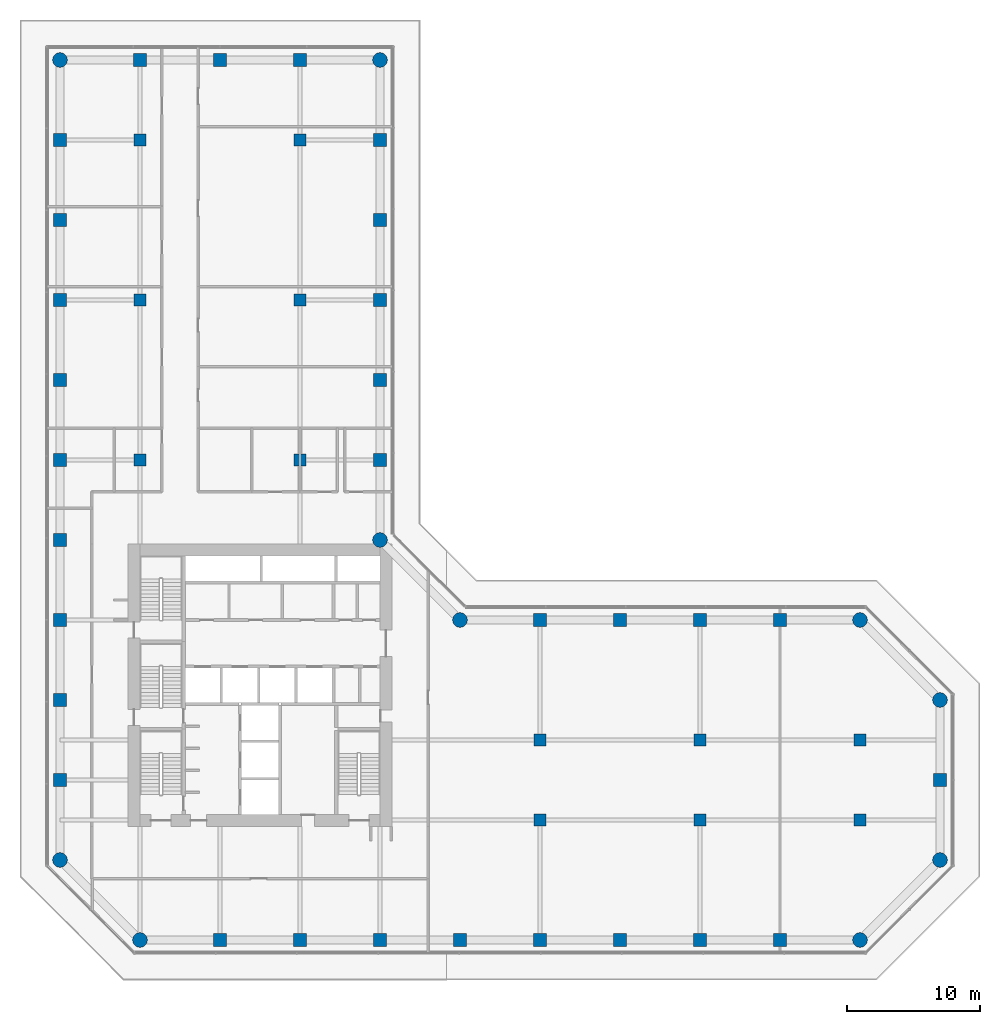
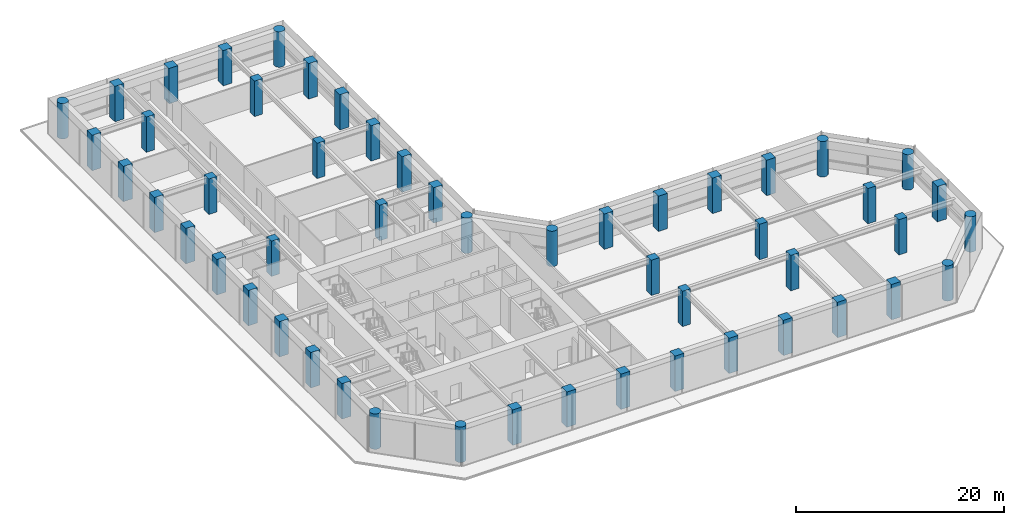
# One storey, part 1 of 24: 52 columns.
"""IFC4 building model written with IfcOpenShell, lengths in metres."""

import ifcopenshell
import ifcopenshell.guid

model = None  # the IFC model being written
_history = None  # IfcOwnerHistory: only IFC2X3 demands one
_inside = {}  # id of a spatial element -> (the spatial element, [elements in it])
_under = {}  # id of a project, library or spatial element -> (it, [spatial elements below it])
_declared = {}  # id of a project -> (the project, [libraries it declares])
_typed = {}  # id of a type object -> (the type object, [elements of that type])
_made_of = {}  # id of a material, layer set ... -> (it, [elements and type objects made of it])


def new_model(schema):
    """Start an empty IFC model of exactly this schema.

    Asked for "IFC4X3", IfcOpenShell would pick the latest addendum, in which some entities
    have other attributes; the version numbers below select the first issue.
    IFC2X3 requires an IfcOwnerHistory on every rooted entity: one is made here for all.
    """
    global model, _history
    if schema == "IFC4X3":
        model = ifcopenshell.file(schema_version=(4, 3, 0, 0))
    else:
        model = ifcopenshell.file(schema=schema)
    _inside.clear()
    _under.clear()
    _declared.clear()
    _typed.clear()
    _made_of.clear()
    _history = None
    if model.schema == "IFC2X3":
        org = make("IfcOrganization", Name="unknown")
        user = make(
            "IfcPersonAndOrganization",
            ThePerson=make("IfcPerson", FamilyName="unknown"),
            TheOrganization=org,
        )
        app = make(
            "IfcApplication",
            ApplicationDeveloper=org,
            Version="unknown",
            ApplicationFullName="unknown",
            ApplicationIdentifier="unknown",
        )
        _history = make(
            "IfcOwnerHistory",
            OwningUser=user,
            OwningApplication=app,
            ChangeAction="ADDED",
            CreationDate=0,
        )
    return model


def make(cls, **values):
    """One entity of the class cls with the attributes given. An attribute that is None is left unset."""
    return model.create_entity(
        cls, **{name: value for name, value in values.items() if value is not None}
    )


def rooted(cls, **values):
    """An entity with a GlobalId (a new one), such as an element, a storey or a relation."""
    return make(cls, GlobalId=ifcopenshell.guid.new(), OwnerHistory=_history, **values)


def si_unit(unit_type, name, prefix=None):
    """IfcSIUnit, for example si_unit("LENGTHUNIT", "METRE", prefix="MILLI")."""
    return make("IfcSIUnit", UnitType=unit_type, Prefix=prefix, Name=name)


def assignment(units):
    """IfcUnitAssignment: the units of a project."""
    return None if units is None else make("IfcUnitAssignment", Units=units)


def point(xyz):
    """IfcCartesianPoint."""
    return None if xyz is None else make("IfcCartesianPoint", Coordinates=xyz)


def direction(xyz):
    """IfcDirection."""
    return None if xyz is None else make("IfcDirection", DirectionRatios=xyz)


def frame(location, z_axis=None, x_axis=None):
    """IfcAxis2Placement3D, a coordinate frame: its origin and axes. An axis left out is left unset."""
    return make(
        "IfcAxis2Placement3D",
        Location=point(location),
        Axis=direction(z_axis),
        RefDirection=direction(x_axis),
    )


def frame_2d(location, x_axis=None):
    """IfcAxis2Placement2D, a coordinate frame in the plane: its origin and x axis."""
    return make(
        "IfcAxis2Placement2D", Location=point(location), RefDirection=direction(x_axis)
    )


def origin():
    """The frame at (0, 0, 0) with its axes left unset."""
    return frame((0.0, 0.0, 0.0))


def origin_2d():
    """The frame at (0, 0) in the plane with its x axis left unset."""
    return frame_2d((0.0, 0.0))


def place(relative_to, where):
    """IfcLocalPlacement: puts the frame where relative to a parent placement (None: the world)."""
    return make(
        "IfcLocalPlacement", PlacementRelTo=relative_to, RelativePlacement=where
    )


def context(
    kind, dimensions, precision=None, world=None, true_north=None, identifier=None
):
    """IfcGeometricRepresentationContext, for example the 3D "Model" context."""
    return make(
        "IfcGeometricRepresentationContext",
        ContextIdentifier=identifier,
        ContextType=kind,
        CoordinateSpaceDimension=dimensions,
        Precision=precision,
        WorldCoordinateSystem=world,
        TrueNorth=true_north,
    )


def subcontext(parent, identifier, kind, view, scale=None):
    """IfcGeometricRepresentationSubContext, for example "Body" below "Model"."""
    return make(
        "IfcGeometricRepresentationSubContext",
        ContextIdentifier=identifier,
        ContextType=kind,
        ParentContext=parent,
        TargetScale=scale,
        TargetView=view,
    )


def project(units=None, contexts=None):
    """IfcProject with its units and contexts."""
    return rooted(
        "IfcProject",
        Name="project",
        RepresentationContexts=contexts,
        UnitsInContext=assignment(units),
    )


def spatial(cls, under=None, at=None, **own):
    """A site, building, storey or space (cls), placed at a placement, below another one or the project."""
    s = rooted(cls, ObjectPlacement=at, **own)
    if under is not None:
        _under.setdefault(under.id(), (under, []))[1].append(s)
    return s


def profile(cls, at=None, kind="AREA", **sizes):
    """A parametric profile (cls). Its sizes go by their IFC names, for example OverallWidth=200.0."""
    return make(cls, ProfileType=kind, Position=at, **sizes)


def rectangle(**sizes):
    """IfcRectangleProfileDef."""
    return profile("IfcRectangleProfileDef", **sizes)


def circle(**sizes):
    """IfcCircleProfileDef."""
    return profile("IfcCircleProfileDef", **sizes)


def extrude(swept, where, along, depth):
    """IfcExtrudedAreaSolid: the profile swept, set in the frame where, extruded along a direction by depth."""
    return make(
        "IfcExtrudedAreaSolid",
        SweptArea=swept,
        Position=where,
        ExtrudedDirection=direction(along),
        Depth=depth,
    )


def shape(context_of_items, identifier, shape_type, items):
    """IfcShapeRepresentation: the items that make up one representation, for example the "Body"."""
    return make(
        "IfcShapeRepresentation",
        ContextOfItems=context_of_items,
        RepresentationIdentifier=identifier,
        RepresentationType=shape_type,
        Items=items,
    )


def material(Name=None, Category=None):
    """IfcMaterial."""
    return make("IfcMaterial", Name=Name, Category=Category)


def material_profile(
    of_material, cross_section, Name=None, Category=None, Priority=None
):
    """IfcMaterialProfile: a cross section and its material."""
    return make(
        "IfcMaterialProfile",
        Name=Name,
        Material=of_material,
        Profile=cross_section,
        Priority=Priority,
        Category=Category,
    )


def profile_set(profiles, Name=None, composite=None):
    """IfcMaterialProfileSet."""
    return make(
        "IfcMaterialProfileSet",
        Name=Name,
        MaterialProfiles=profiles,
        CompositeProfile=composite,
    )


def made_of(thing, what):
    """Note that an element or type object is made of a material, layer set ...; save() writes the relation."""
    if what is not None:
        _made_of.setdefault(what.id(), (what, []))[1].append(thing)
    return thing


def type_object(cls, material=None, **own):
    """A type object (cls), such as IfcWallType, which elements share."""
    return made_of(rooted(cls, **own), material)


def element(
    cls,
    number,
    at=None,
    inside=None,
    cuts=None,
    type_object=None,
    material=None,
    context=None,
    identifier="Body",
    shape_type=None,
    held_by="IfcProductDefinitionShape",
    body=None,
    shapes=None,
    **own,
):
    """One element of the class cls, such as IfcWall. Its Tag is "e" and its number.

    at: its placement. inside: the storey or other place that contains it. cuts: it is an
    opening in that element (IfcRelVoidsElement). A single representation is given by context,
    identifier, shape_type and body (its items); several are given by shapes. held_by: the class
    of the entity that holds the representations. save() writes the other relations.
    """
    e = rooted(cls, Tag="e%d" % number, ObjectPlacement=at, **own)
    if body is not None:
        shapes = [shape(context, identifier, shape_type, body)]
    if shapes is not None:
        e.Representation = make(held_by, Representations=shapes)
    if inside is not None:
        _inside.setdefault(inside.id(), (inside, []))[1].append(e)
    if cuts is not None:
        rooted(
            "IfcRelVoidsElement", RelatingBuildingElement=cuts, RelatedOpeningElement=e
        )
    if type_object is not None:
        _typed.setdefault(type_object.id(), (type_object, []))[1].append(e)
    return made_of(e, material)


def aggregate(whole, parts):
    """IfcRelAggregates: a whole, such as a stair, and the parts it consists of."""
    return rooted("IfcRelAggregates", RelatingObject=whole, RelatedObjects=parts)


def save(model, path):
    """Write the relations noted so far, then the file.

    IfcRelAggregates (storeys below a building ...), IfcRelContainedInSpatialStructure (elements
    in a storey), IfcRelDefinesByType, IfcRelAssociatesMaterial and IfcRelDeclares: one each for
    every whole, place, type object, material and project.
    """
    for whole, parts in _under.values():
        aggregate(whole, parts)
    for where, things in _inside.values():
        rooted(
            "IfcRelContainedInSpatialStructure",
            RelatedElements=things,
            RelatingStructure=where,
        )
    for kind, things in _typed.values():
        rooted("IfcRelDefinesByType", RelatedObjects=things, RelatingType=kind)
    for what, things in _made_of.values():
        rooted("IfcRelAssociatesMaterial", RelatedObjects=things, RelatingMaterial=what)
    for by, libraries in _declared.values():
        rooted("IfcRelDeclares", RelatingContext=by, RelatedDefinitions=libraries)
    model.write(path)


model = new_model("IFC4")

# Units and contexts
model_context = context("Model", 3, precision=1e-05, world=origin(), true_north=direction((0.0, 1.0)))
body_context = subcontext(model_context, "Body", "Model", "MODEL_VIEW")
ifc_project = project(units=[si_unit("LENGTHUNIT", "METRE"), si_unit("AREAUNIT", "SQUARE_METRE"), si_unit("VOLUMEUNIT", "CUBIC_METRE"), si_unit("PLANEANGLEUNIT", "RADIAN"), si_unit("MASSUNIT", "GRAM", prefix="KILO")], contexts=[model_context])

# Site, building, storey
site_placement = place(None, origin())
site = spatial("IfcSite", under=ifc_project, at=site_placement, CompositionType="ELEMENT")
building_placement = place(site_placement, origin())
building = spatial("IfcBuilding", under=site, at=building_placement, Name="Welwitschia Terrace Campus", CompositionType="ELEMENT")
storey_placement = place(building_placement, frame((0.0, 0.0, 20.0)))
storey = spatial("IfcBuildingStorey", under=building, at=storey_placement, Name="L04", CompositionType="ELEMENT", Elevation=20.0)

# Columns
ifc_material_1 = material(Name="Concrete C60/75", Category="concrete")
ifc_material_profile_1 = material_profile(ifc_material_1, circle(Radius=0.550048828125, at=origin_2d()))
ifc_profile_set_1 = profile_set([ifc_material_profile_1], Name="Concrete C60/75")
column_type_1 = type_object("IfcColumnType", Name="Corner column 1100 dia", PredefinedType="COLUMN", material=ifc_profile_set_1)
for number, where, z_axis, x_axis, name in (
    (1, (0.0, 2.0, 0.0), (0.0, 0.0, 1.0), (1.0, 0.0, 0.0), "Column C2"),
    (2, (0.0, 62.0, 0.0), (0.0, 0.0, 1.0), (1.0, 0.0, 0.0), "Column C2"),
    (3, (6.0, -4.0, 0.0), (0.0, 0.0, 1.0), (1.0, 0.0, 0.0), "Column C2"),
    (4, (24.0, 26.0, 0.0), (0.0, 0.0, 1.0), (1.0, 0.0, 0.0), "Column C2"),
    (5, (24.0, 62.0, 0.0), (0.0, 0.0, 1.0), (1.0, 0.0, 0.0), "Column C2"),
    (6, (30.0, 20.0, 0.0), (0.0, 0.0, 1.0), (1.0, 0.0, 0.0), "Column C2"),
    (7, (60.0, -4.0, 0.0), (0.0, 0.0, 1.0), (1.0, 0.0, 0.0), "Column C2"),
    (8, (60.0, 20.0, 0.0), (0.0, 0.0, 1.0), (1.0, 0.0, 0.0), "Column C2"),
    (9, (66.0, 2.0, 0.0), (0.0, 0.0, 1.0), (1.0, 0.0, 0.0), "Column C2"),
    (10, (66.0, 14.0, 0.0), (0.0, 0.0, 1.0), (1.0, 0.0, 0.0), "Column C2"),
):
    element("IfcColumn", number, at=place(storey_placement, frame(where, z_axis=z_axis, x_axis=x_axis)), inside=storey, type_object=column_type_1, Name=name, PredefinedType="COLUMN", context=body_context, shape_type="SweptSolid", body=[
        extrude(circle(Radius=0.550048828125, at=origin_2d()), origin(), (0.0, 0.0, 1.0), 4.14990234375),
    ])
ifc_material_2 = material(Name="Concrete C60/75", Category="concrete")
ifc_material_profile_2 = material_profile(ifc_material_2, rectangle(XDim=0.89990234375, YDim=0.89990234375, at=origin_2d()))
ifc_profile_set_2 = profile_set([ifc_material_profile_2], Name="Concrete C60/75")
column_type_2 = type_object("IfcColumnType", Name="Interior column 900x900", PredefinedType="COLUMN", material=ifc_profile_set_2)
for number, where, z_axis, x_axis, name in (
    (11, (6.0, 32.0, 0.0), (0.0, 0.0, 1.0), (1.0, 0.0, 0.0), "Column C4"),
    (12, (6.0, 44.0, 0.0), (0.0, 0.0, 1.0), (1.0, 0.0, 0.0), "Column C4"),
    (13, (6.0, 56.0, 0.0), (0.0, 0.0, 1.0), (1.0, 0.0, 0.0), "Column C4"),
    (14, (18.0, 32.0, 0.0), (0.0, 0.0, 1.0), (1.0, 0.0, 0.0), "Column C4"),
    (15, (18.0, 44.0, 0.0), (0.0, 0.0, 1.0), (1.0, 0.0, 0.0), "Column C4"),
    (16, (18.0, 56.0, 0.0), (0.0, 0.0, 1.0), (1.0, 0.0, 0.0), "Column C4"),
    (17, (36.0, 5.0, 0.0), (0.0, 0.0, 1.0), (1.0, 0.0, 0.0), "Column C4"),
    (18, (36.0, 11.0, 0.0), (0.0, 0.0, 1.0), (1.0, 0.0, 0.0), "Column C4"),
    (19, (48.0, 5.0, 0.0), (0.0, 0.0, 1.0), (1.0, 0.0, 0.0), "Column C4"),
    (20, (48.0, 11.0, 0.0), (0.0, 0.0, 1.0), (1.0, 0.0, 0.0), "Column C4"),
    (21, (60.0, 5.0, 0.0), (0.0, 0.0, 1.0), (1.0, 0.0, 0.0), "Column C4"),
    (22, (60.0, 11.0, 0.0), (0.0, 0.0, 1.0), (1.0, 0.0, 0.0), "Column C4"),
):
    element("IfcColumn", number, at=place(storey_placement, frame(where, z_axis=z_axis, x_axis=x_axis)), inside=storey, type_object=column_type_2, Name=name, PredefinedType="COLUMN", context=body_context, shape_type="SweptSolid", body=[
        extrude(rectangle(XDim=0.89990234375, YDim=0.89990234375, at=origin_2d()), origin(), (0.0, 0.0, 1.0), 4.14990234375),
    ])
ifc_material_3 = material(Name="Concrete C60/75", Category="concrete")
ifc_material_profile_3 = material_profile(ifc_material_3, rectangle(XDim=1.0, YDim=1.0, at=origin_2d()))
ifc_profile_set_3 = profile_set([ifc_material_profile_3], Name="Concrete C60/75")
column_type_3 = type_object("IfcColumnType", Name="Ring column 1000x1000", PredefinedType="COLUMN", material=ifc_profile_set_3)
for number, where, z_axis, x_axis, name in (
    (23, (0.0, 8.0, 0.0), (0.0, 0.0, 1.0), (1.0, 0.0, 0.0), "Column C3"),
    (24, (0.0, 14.0, 0.0), (0.0, 0.0, 1.0), (1.0, 0.0, 0.0), "Column C3"),
    (25, (0.0, 20.0, 0.0), (0.0, 0.0, 1.0), (1.0, 0.0, 0.0), "Column C3"),
    (26, (0.0, 26.0, 0.0), (0.0, 0.0, 1.0), (1.0, 0.0, 0.0), "Column C3"),
    (27, (0.0, 32.0, 0.0), (0.0, 0.0, 1.0), (1.0, 0.0, 0.0), "Column C3"),
    (28, (0.0, 38.0, 0.0), (0.0, 0.0, 1.0), (1.0, 0.0, 0.0), "Column C3"),
    (29, (0.0, 44.0, 0.0), (0.0, 0.0, 1.0), (1.0, 0.0, 0.0), "Column C3"),
    (30, (0.0, 50.0, 0.0), (0.0, 0.0, 1.0), (1.0, 0.0, 0.0), "Column C3"),
    (31, (0.0, 56.0, 0.0), (0.0, 0.0, 1.0), (1.0, 0.0, 0.0), "Column C3"),
    (32, (6.0, 62.0, 0.0), (0.0, 0.0, 1.0), (1.0, 0.0, 0.0), "Column C3"),
    (33, (12.0, -4.0, 0.0), (0.0, 0.0, 1.0), (1.0, 0.0, 0.0), "Column C3"),
    (34, (12.0, 62.0, 0.0), (0.0, 0.0, 1.0), (1.0, 0.0, 0.0), "Column C3"),
    (35, (18.0, -4.0, 0.0), (0.0, 0.0, 1.0), (1.0, 0.0, 0.0), "Column C3"),
    (36, (18.0, 62.0, 0.0), (0.0, 0.0, 1.0), (1.0, 0.0, 0.0), "Column C3"),
    (37, (24.0, -4.0, 0.0), (0.0, 0.0, 1.0), (1.0, 0.0, 0.0), "Column C3"),
    (38, (24.0, 32.0, 0.0), (0.0, 0.0, 1.0), (1.0, 0.0, 0.0), "Column C3"),
    (39, (24.0, 38.0, 0.0), (0.0, 0.0, 1.0), (1.0, 0.0, 0.0), "Column C3"),
    (40, (24.0, 44.0, 0.0), (0.0, 0.0, 1.0), (1.0, 0.0, 0.0), "Column C3"),
    (41, (24.0, 50.0, 0.0), (0.0, 0.0, 1.0), (1.0, 0.0, 0.0), "Column C3"),
    (42, (24.0, 56.0, 0.0), (0.0, 0.0, 1.0), (1.0, 0.0, 0.0), "Column C3"),
    (43, (30.0, -4.0, 0.0), (0.0, 0.0, 1.0), (1.0, 0.0, 0.0), "Column C3"),
    (44, (36.0, -4.0, 0.0), (0.0, 0.0, 1.0), (1.0, 0.0, 0.0), "Column C3"),
    (45, (36.0, 20.0, 0.0), (0.0, 0.0, 1.0), (1.0, 0.0, 0.0), "Column C3"),
    (46, (42.0, -4.0, 0.0), (0.0, 0.0, 1.0), (1.0, 0.0, 0.0), "Column C3"),
    (47, (42.0, 20.0, 0.0), (0.0, 0.0, 1.0), (1.0, 0.0, 0.0), "Column C3"),
    (48, (48.0, -4.0, 0.0), (0.0, 0.0, 1.0), (1.0, 0.0, 0.0), "Column C3"),
    (49, (48.0, 20.0, 0.0), (0.0, 0.0, 1.0), (1.0, 0.0, 0.0), "Column C3"),
    (50, (54.0, -4.0, 0.0), (0.0, 0.0, 1.0), (1.0, 0.0, 0.0), "Column C3"),
    (51, (54.0, 20.0, 0.0), (0.0, 0.0, 1.0), (1.0, 0.0, 0.0), "Column C3"),
    (52, (66.0, 8.0, 0.0), (0.0, 0.0, 1.0), (1.0, 0.0, 0.0), "Column C3"),
):
    element("IfcColumn", number, at=place(storey_placement, frame(where, z_axis=z_axis, x_axis=x_axis)), inside=storey, type_object=column_type_3, Name=name, PredefinedType="COLUMN", context=body_context, shape_type="SweptSolid", body=[
        extrude(rectangle(XDim=1.0, YDim=1.0, at=origin_2d()), origin(), (0.0, 0.0, 1.0), 4.14990234375),
    ])

save(model, "model.ifc")
